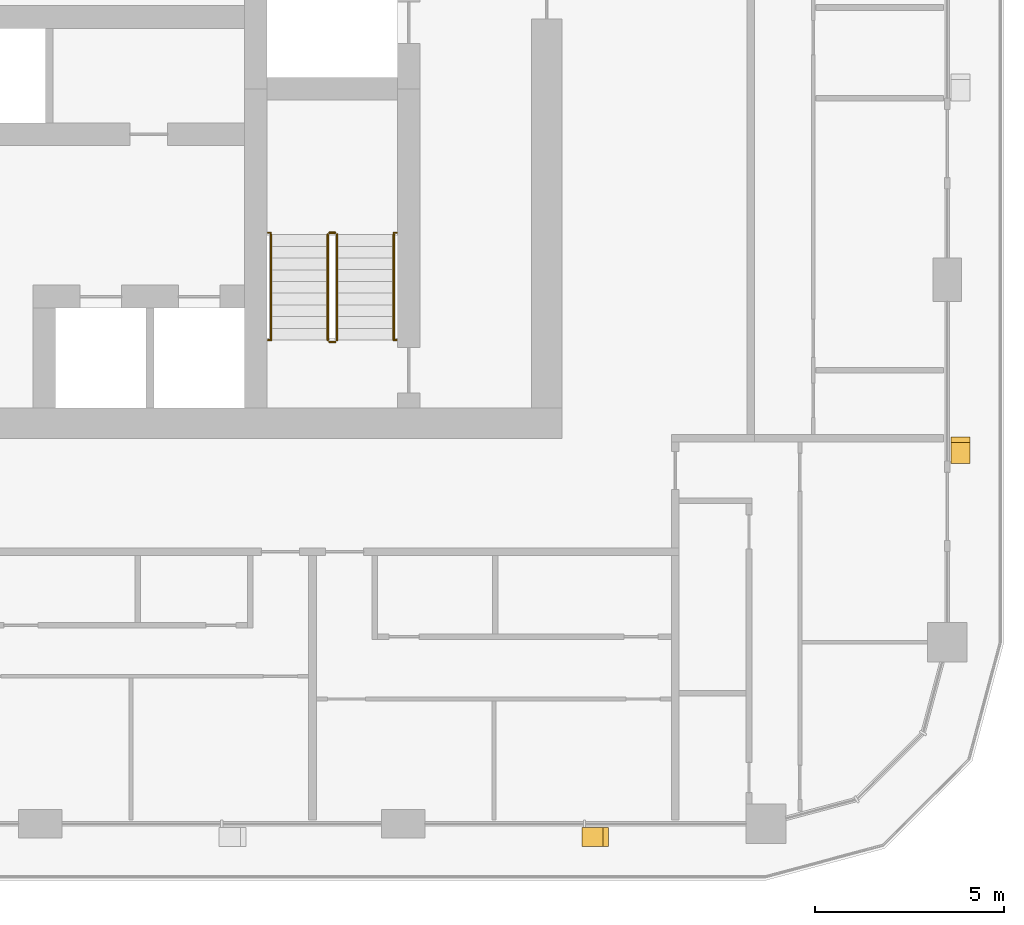
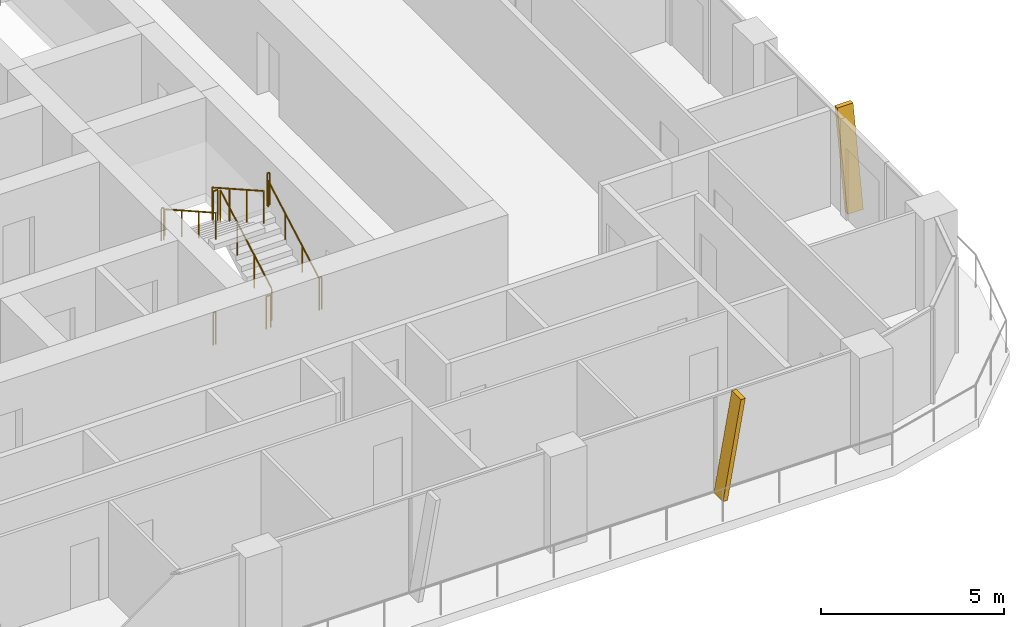
# One storey, part 19 of 22: 10 railings, 2 shading devices.
"""IFC4 building model written with IfcOpenShell, lengths in metres."""

from ifc_helpers import new_model, si_unit, direction, frame, origin, origin_2d, place, context, subcontext, project, spatial, polyline, circle, outline, extrude, material, type_object, element, save


model = new_model("IFC4")

# Units and contexts
model_context = context("Model", 3, precision=1e-05, world=origin(), true_north=direction((0.0, 1.0)))
body_context = subcontext(model_context, "Body", "Model", "MODEL_VIEW")
ifc_project = project(units=[si_unit("LENGTHUNIT", "METRE"), si_unit("AREAUNIT", "SQUARE_METRE"), si_unit("VOLUMEUNIT", "CUBIC_METRE"), si_unit("PLANEANGLEUNIT", "RADIAN"), si_unit("MASSUNIT", "GRAM", prefix="KILO")], contexts=[model_context])

# Site, building, storey
site_placement = place(None, origin())
site = spatial("IfcSite", under=ifc_project, at=site_placement, CompositionType="ELEMENT")
building_placement = place(site_placement, origin())
building = spatial("IfcBuilding", under=site, at=building_placement, Name="Madar Terraces", CompositionType="ELEMENT")
storey_placement = place(building_placement, frame((0.0, 0.0, 129.60009765625)))
storey = spatial("IfcBuildingStorey", under=building, at=storey_placement, Name="L33", CompositionType="ELEMENT", Elevation=129.60009765625)

# Shading devices
ifc_material_1 = material(Name="Aluminium, black anodised", Category="aluminium")
shading_device_type = type_object("IfcShadingDeviceType", Name="Facade fin blade 140 x 500", PredefinedType="USERDEFINED", material=ifc_material_1)
shading_device_1_placement = place(storey_placement, frame((47.929931640625, 4.449951171875, 0.0), z_axis=(0.0, 0.0, 1.0), x_axis=(1.0, 0.0, 0.0)))
element("IfcShadingDevice", 1, at=shading_device_1_placement, inside=storey, type_object=shading_device_type, Name="FIN L33 S5", ObjectType="FIN", PredefinedType="USERDEFINED", context=body_context, shape_type="SweptSolid", body=[
    extrude(outline(polyline([(0.0, 0.0), (0.14013671875, 0.0), (0.704345703125, 3.199951171875), (0.564208984375, 3.199951171875), (0.0, 0.0)])), frame((0.0, 0.25, 0.0), z_axis=(0.0, -1.0, 0.0), x_axis=(1.0, 0.0, 0.0)), (0.0, 0.0, 1.0), 0.5),
])
shading_device_2_placement = place(storey_placement, frame((57.949951171875, 14.330078125, 0.0), z_axis=(0.0, 0.0, 1.0), x_axis=(0.0, 1.0, 0.0)))
element("IfcShadingDevice", 2, at=shading_device_2_placement, inside=storey, type_object=shading_device_type, Name="FIN L33 E1", ObjectType="FIN", PredefinedType="USERDEFINED", context=body_context, shape_type="SweptSolid", body=[
    extrude(outline(polyline([(0.0, 0.0), (0.139892578125, 0.0), (0.704345703125, 3.199951171875), (0.564208984375, 3.199951171875), (0.0, 0.0)])), frame((0.0, 0.25, 0.0), z_axis=(0.0, -1.0, 0.0), x_axis=(1.0, 0.0, 0.0)), (0.0, 0.0, 1.0), 0.5),
])

# Railings
ifc_material_2 = material(Name="Stainless steel railing", Category="steel")
railing_type_1 = type_object("IfcRailingType", Name="Stair guard 1100", PredefinedType="GUARDRAIL", material=ifc_material_2)
railing_1_placement = place(storey_placement, frame((41.449951171875, 17.60009765625, 0.1748046875)))
element("IfcRailing", 3, at=railing_1_placement, inside=storey, type_object=railing_type_1, Name="L33 ST3 stair guard 1", PredefinedType="GUARDRAIL", context=body_context, shape_type="SweptSolid", body=[
    extrude(circle(Radius=0.02392578125, at=origin_2d()), frame((0.0, 0.0, 1.076171875), z_axis=(0.0, 0.870782738816, 0.491667999549), x_axis=(-1.0, 0.0, 0.0)), (0.0, 0.0, 1.0), 3.203857421875),
    extrude(circle(Radius=0.02099609375, at=origin_2d()), origin(), (0.0, 0.0, 1.0), 1.052001953125),
    extrude(circle(Radius=0.02099609375, at=origin_2d()), frame((0.0, 0.929931640625, 0.525146484375)), (0.0, 0.0, 1.0), 1.052001953125),
    extrude(circle(Radius=0.02099609375, at=origin_2d()), frame((0.0, 1.85986328125, 1.050048828125)), (0.0, 0.0, 1.0), 1.052001953125),
    extrude(circle(Radius=0.02099609375, at=origin_2d()), frame((0.0, 2.789794921875, 1.5751953125)), (0.0, 0.0, 1.0), 1.052001953125),
])
railing_2_placement = place(storey_placement, frame((41.39990234375, 20.43994140625, 1.75)))
element("IfcRailing", 4, at=railing_2_placement, inside=storey, type_object=railing_type_1, Name="L33 ST3 stair guard 2", PredefinedType="GUARDRAIL", context=body_context, shape_type="SweptSolid", body=[
    extrude(circle(Radius=0.02392578125, at=origin_2d()), frame((0.0, 0.0, 1.076171875), z_axis=(-1.0, 0.0, 0.0), x_axis=(0.0, -1.0, 0.0)), (0.0, 0.0, 1.0), 0.14990234375),
    extrude(circle(Radius=0.02099609375, at=origin_2d()), origin(), (0.0, 0.0, 1.0), 1.052001953125),
    extrude(circle(Radius=0.02099609375, at=origin_2d()), frame((-0.14990234375, 0.0, 0.0)), (0.0, 0.0, 1.0), 1.052001953125),
])
railing_3_placement = place(storey_placement, frame((41.199951171875, 20.389892578125, 1.9248046875)))
element("IfcRailing", 5, at=railing_3_placement, inside=storey, type_object=railing_type_1, Name="L33 ST3 stair guard 3", PredefinedType="GUARDRAIL", context=body_context, shape_type="SweptSolid", body=[
    extrude(circle(Radius=0.02392578125, at=origin_2d()), frame((0.0, 0.0, 1.076171875), z_axis=(0.0, -0.870782738816, 0.491667999549), x_axis=(1.0, 0.0, 0.0)), (0.0, 0.0, 1.0), 3.203857421875),
    extrude(circle(Radius=0.02099609375, at=origin_2d()), origin(), (0.0, 0.0, 1.0), 1.052001953125),
    extrude(circle(Radius=0.02099609375, at=origin_2d()), frame((0.0, -0.929931640625, 0.525146484375)), (0.0, 0.0, 1.0), 1.052001953125),
    extrude(circle(Radius=0.02099609375, at=origin_2d()), frame((0.0, -1.85986328125, 1.050048828125)), (0.0, 0.0, 1.0), 1.052001953125),
    extrude(circle(Radius=0.02099609375, at=origin_2d()), frame((0.0, -2.789794921875, 1.5751953125)), (0.0, 0.0, 1.0), 1.052001953125),
])
railing_4_placement = place(storey_placement, frame((41.39990234375, 17.550048828125, 0.0)))
element("IfcRailing", 6, at=railing_4_placement, inside=storey, type_object=railing_type_1, Name="L33 ST3 stair guard 4", PredefinedType="GUARDRAIL", context=body_context, shape_type="SweptSolid", body=[
    extrude(circle(Radius=0.02392578125, at=origin_2d()), frame((0.0, 0.0, 1.076171875), z_axis=(-1.0, 0.0, 0.0), x_axis=(0.0, -1.0, 0.0)), (0.0, 0.0, 1.0), 0.14990234375),
    extrude(circle(Radius=0.02099609375, at=origin_2d()), origin(), (0.0, 0.0, 1.0), 1.052001953125),
    extrude(circle(Radius=0.02099609375, at=origin_2d()), frame((-0.14990234375, 0.0, 0.0)), (0.0, 0.0, 1.0), 1.052001953125),
])
railing_5_placement = place(storey_placement, frame((39.6201171875, 20.43994140625, 1.75)))
element("IfcRailing", 7, at=railing_5_placement, inside=storey, type_object=railing_type_1, Name="L33 stair guard seat 1", PredefinedType="GUARDRAIL", context=body_context, shape_type="SweptSolid", body=[
    extrude(circle(Radius=0.02392578125, at=origin_2d()), frame((0.0, 0.0, 1.076171875), z_axis=(1.0, 0.0, 0.0), x_axis=(0.0, 1.0, 0.0)), (0.0, 0.0, 1.0), 0.079833984375),
    extrude(circle(Radius=0.02099609375, at=origin_2d()), origin(), (0.0, 0.0, 1.0), 1.052001953125),
    extrude(circle(Radius=0.02099609375, at=origin_2d()), frame((0.079833984375, 0.0, 0.0)), (0.0, 0.0, 1.0), 1.052001953125),
])
railing_6_placement = place(storey_placement, frame((42.949951171875, 20.43994140625, 1.75)))
element("IfcRailing", 8, at=railing_6_placement, inside=storey, type_object=railing_type_1, Name="L33 stair guard seat 2", PredefinedType="GUARDRAIL", context=body_context, shape_type="SweptSolid", body=[
    extrude(circle(Radius=0.02392578125, at=origin_2d()), frame((0.0, 0.0, 1.076171875), z_axis=(1.0, 0.0, 0.0), x_axis=(0.0, 1.0, 0.0)), (0.0, 0.0, 1.0), 0.080078125),
    extrude(circle(Radius=0.02099609375, at=origin_2d()), origin(), (0.0, 0.0, 1.0), 1.052001953125),
    extrude(circle(Radius=0.02099609375, at=origin_2d()), frame((0.080078125, 0.0, 0.0)), (0.0, 0.0, 1.0), 1.052001953125),
])
railing_7_placement = place(storey_placement, frame((39.6201171875, 17.60009765625, 0.0)))
element("IfcRailing", 9, at=railing_7_placement, inside=storey, type_object=railing_type_1, Name="L33 stair guard floor 1", PredefinedType="GUARDRAIL", context=body_context, shape_type="SweptSolid", body=[
    extrude(circle(Radius=0.02392578125, at=origin_2d()), frame((0.0, 0.0, 1.076171875), z_axis=(1.0, 0.0, 0.0), x_axis=(0.0, 1.0, 0.0)), (0.0, 0.0, 1.0), 0.079833984375),
    extrude(circle(Radius=0.02099609375, at=origin_2d()), origin(), (0.0, 0.0, 1.0), 1.052001953125),
    extrude(circle(Radius=0.02099609375, at=origin_2d()), frame((0.079833984375, 0.0, 0.0)), (0.0, 0.0, 1.0), 1.052001953125),
])
railing_8_placement = place(storey_placement, frame((42.949951171875, 17.60009765625, 0.0)))
element("IfcRailing", 10, at=railing_8_placement, inside=storey, type_object=railing_type_1, Name="L33 stair guard floor 2", PredefinedType="GUARDRAIL", context=body_context, shape_type="SweptSolid", body=[
    extrude(circle(Radius=0.02392578125, at=origin_2d()), frame((0.0, 0.0, 1.076171875), z_axis=(1.0, 0.0, 0.0), x_axis=(0.0, 1.0, 0.0)), (0.0, 0.0, 1.0), 0.080078125),
    extrude(circle(Radius=0.02099609375, at=origin_2d()), origin(), (0.0, 0.0, 1.0), 1.052001953125),
    extrude(circle(Radius=0.02099609375, at=origin_2d()), frame((0.080078125, 0.0, 0.0)), (0.0, 0.0, 1.0), 1.052001953125),
])
ifc_material_3 = material(Name="Stainless steel railing", Category="steel")
railing_type_2 = type_object("IfcRailingType", Name="Stair handrail 900", PredefinedType="HANDRAIL", material=ifc_material_3)
railing_9_placement = place(storey_placement, frame((42.949951171875, 17.60009765625, 0.1748046875)))
element("IfcRailing", 11, at=railing_9_placement, inside=storey, type_object=railing_type_2, Name="L33 ST3 stair handrail 1", PredefinedType="HANDRAIL", context=body_context, shape_type="SweptSolid", body=[
    extrude(circle(Radius=0.02392578125, at=origin_2d()), frame((0.0, 0.0, 0.8759765625), z_axis=(0.0, 0.870782738816, 0.491667999549), x_axis=(-1.0, 0.0, 0.0)), (0.0, 0.0, 1.0), 3.203857421875),
    extrude(circle(Radius=0.02099609375, at=origin_2d()), origin(), (0.0, 0.0, 1.0), 0.851806640625),
    extrude(circle(Radius=0.02099609375, at=origin_2d()), frame((0.0, 0.929931640625, 0.525146484375)), (0.0, 0.0, 1.0), 0.851806640625),
    extrude(circle(Radius=0.02099609375, at=origin_2d()), frame((0.0, 1.85986328125, 1.050048828125)), (0.0, 0.0, 1.0), 0.851806640625),
    extrude(circle(Radius=0.02099609375, at=origin_2d()), frame((0.0, 2.789794921875, 1.5751953125)), (0.0, 0.0, 1.0), 0.851806640625),
])
railing_10_placement = place(storey_placement, frame((39.699951171875, 20.389892578125, 1.9248046875)))
element("IfcRailing", 12, at=railing_10_placement, inside=storey, type_object=railing_type_2, Name="L33 ST3 stair handrail 2", PredefinedType="HANDRAIL", context=body_context, shape_type="SweptSolid", body=[
    extrude(circle(Radius=0.02392578125, at=origin_2d()), frame((0.0, 0.0, 0.8759765625), z_axis=(0.0, -0.870782738816, 0.491667999549), x_axis=(1.0, 0.0, 0.0)), (0.0, 0.0, 1.0), 3.203857421875),
    extrude(circle(Radius=0.02099609375, at=origin_2d()), origin(), (0.0, 0.0, 1.0), 0.851806640625),
    extrude(circle(Radius=0.02099609375, at=origin_2d()), frame((0.0, -0.929931640625, 0.525146484375)), (0.0, 0.0, 1.0), 0.851806640625),
    extrude(circle(Radius=0.02099609375, at=origin_2d()), frame((0.0, -1.85986328125, 1.050048828125)), (0.0, 0.0, 1.0), 0.851806640625),
    extrude(circle(Radius=0.02099609375, at=origin_2d()), frame((0.0, -2.789794921875, 1.5751953125)), (0.0, 0.0, 1.0), 0.851806640625),
])

save(model, "model.ifc")
